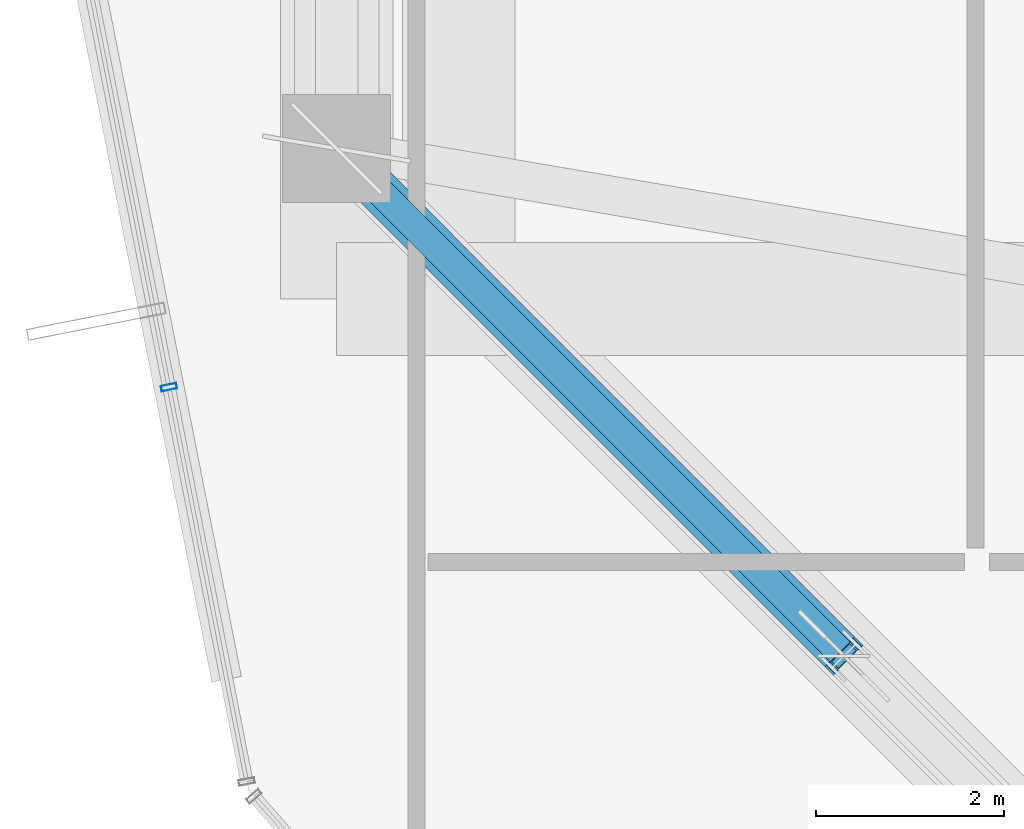
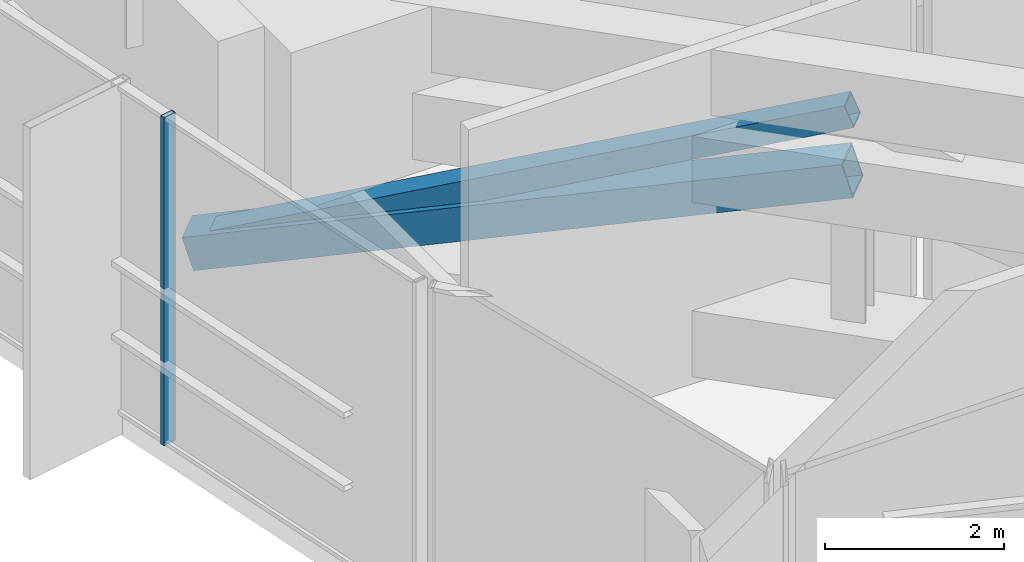
# One storey, part 5 of 36: 3 members, 1 element without a shape of its own.
"""IFC4 building model written with IfcOpenShell, lengths in metres."""

from ifc_helpers import new_model, si_unit, direction, frame, origin, origin_2d, place, context, subcontext, project, spatial, hollow_rectangle, extrude, source, transform, mapped, material, layer, layer_set, material_profile, profile_set, type_object, element, aggregate, save


model = new_model("IFC4")

# Units and contexts
model_context = context("Model", 3, precision=1e-05, world=origin(), true_north=direction((0.0, 1.0)))
body_context = subcontext(model_context, "Body", "Model", "MODEL_VIEW")
ifc_project = project(units=[si_unit("LENGTHUNIT", "METRE"), si_unit("AREAUNIT", "SQUARE_METRE"), si_unit("VOLUMEUNIT", "CUBIC_METRE"), si_unit("PLANEANGLEUNIT", "RADIAN"), si_unit("MASSUNIT", "GRAM", prefix="KILO")], contexts=[model_context])

# Site, building, storey
site_placement = place(None, origin())
site = spatial("IfcSite", under=ifc_project, at=site_placement, CompositionType="ELEMENT")
building_placement = place(site_placement, origin())
building = spatial("IfcBuilding", under=site, at=building_placement, Name="Veraguas Prism Commons", CompositionType="ELEMENT")
storey_placement = place(building_placement, frame((0.0, 0.0, 169.550048828125)))
storey = spatial("IfcBuildingStorey", under=building, at=storey_placement, Name="L48", CompositionType="ELEMENT", Elevation=169.550048828125)

# Members
ifc_material_1 = material(Name="Steel ASTM A500 Grade C", Category="steel")
ifc_material_profile_1 = material_profile(ifc_material_1, hollow_rectangle(XDim=0.449951171875, YDim=0.449951171875, WallThickness=0.02197265625, at=origin_2d()), Name="HSS450X450X22")
ifc_profile_set_1 = profile_set([ifc_material_profile_1], Name="Steel ASTM A500 Grade C")
member_type_1 = type_object("IfcMemberType", Name="Mid Belt Diagonal HSS 450x450x22", PredefinedType="BRACE", material=ifc_profile_set_1)
member_1_placement = place(storey_placement, frame((7.800048828125, 18.60009765625, 0.550048828125), z_axis=(0.675070232643, -0.675100753948, 0.297521684954), x_axis=(0.707122765516, 0.707090796496, 0.0)))
element("IfcMember", 1, at=member_1_placement, inside=storey, type_object=member_type_1, Name="Perimeter Belt Truss Brace L48-09A", PredefinedType="BRACE", context=body_context, shape_type="SweptSolid", body=[
    extrude(hollow_rectangle(XDim=0.449951171875, YDim=0.449951171875, WallThickness=0.02197265625, at=origin_2d()), origin(), (0.0, 0.0, 1.0), 7.9990234375),
])
ifc_material_profile_2 = material_profile(ifc_material_1, hollow_rectangle(XDim=0.300048828125, YDim=0.300048828125, WallThickness=0.01611328125, at=origin_2d()), Name="HSS300X300X16")
ifc_profile_set_2 = profile_set([ifc_material_profile_2], Name="Steel ASTM A500 Grade C")
member_type_2 = type_object("IfcMemberType", Name="Sky Pool Bracket Strut HSS 300x300x16", PredefinedType="STRUT", material=ifc_profile_set_2)
member_2_placement = place(storey_placement, frame((7.800048828125, 18.60009765625, 0.599853515625), z_axis=(0.653360589741, -0.653390129509, 0.382362757646), x_axis=(0.707122765516, 0.707090796496, 0.0)))
element("IfcMember", 2, at=member_2_placement, inside=storey, type_object=member_type_2, Name="Sky Pool Sub-Truss Strut 03A", PredefinedType="STRUT", context=body_context, shape_type="SweptSolid", body=[
    extrude(hollow_rectangle(XDim=0.300048828125, YDim=0.300048828125, WallThickness=0.01611328125, at=origin_2d()), origin(), (0.0, 0.0, 1.0), 8.264892578125),
])

# Curtain wall, member
ifc_material_2 = material(Name="Anodised aluminium EN AW-6063 T6", Category="aluminium")
ifc_layer = layer(ifc_material_2, 0.169921875, Name="Unitised Flush Curtain Wall Zone 2", Category="aluminium")
ifc_layer_set = layer_set([ifc_layer], Name="Anodised aluminium EN AW-6063 T6")
curtain_wall_type = type_object("IfcCurtainWallType", Name="Unitised Flush Curtain Wall Zone 2", PredefinedType="NOTDEFINED", material=ifc_layer_set)
curtain_wall_placement = place(storey_placement, origin())
curtain_wall = element("IfcCurtainWall", 3, at=curtain_wall_placement, inside=storey, type_object=curtain_wall_type, Name="Tower Facade Curtain Wall L48-F3", PredefinedType="NOTDEFINED")
ifc_material_profile_3 = material_profile(ifc_material_2, hollow_rectangle(XDim=0.06005859375, YDim=0.169921875, WallThickness=0.00390625, at=origin_2d()), Name="AL60X170X4")
ifc_profile_set_3 = profile_set([ifc_material_profile_3], Name="Anodised aluminium EN AW-6063 T6")
member_type_3 = type_object("IfcMemberType", Name="Curtain Wall Mullion Lower AL 60x170x4", PredefinedType="MULLION", material=ifc_profile_set_3)
shared_shape = source(origin(), body_context, "Body", "SweptSolid", [
    extrude(hollow_rectangle(XDim=0.06005859375, YDim=0.169921875, WallThickness=0.00390625, at=origin_2d()), origin(), (0.0, 0.0, 1.0), 4.47998046875),
])
member_3_placement = place(storey_placement, frame((6.01416015625, 16.06005859375, 0.0), z_axis=(0.0, 0.0, 1.0), x_axis=(0.193549468051, -0.981090517443, 0.0)))
member_3 = element("IfcMember", 4, at=member_3_placement, type_object=member_type_3, Name="CW-Z2 Mullion 4", PredefinedType="MULLION", context=body_context, shape_type="MappedRepresentation", body=[
    mapped(shared_shape, transform((0.0, 0.0, 0.0), scale=1.0)),
])
aggregate(curtain_wall, [member_3])

save(model, "model.ifc")
